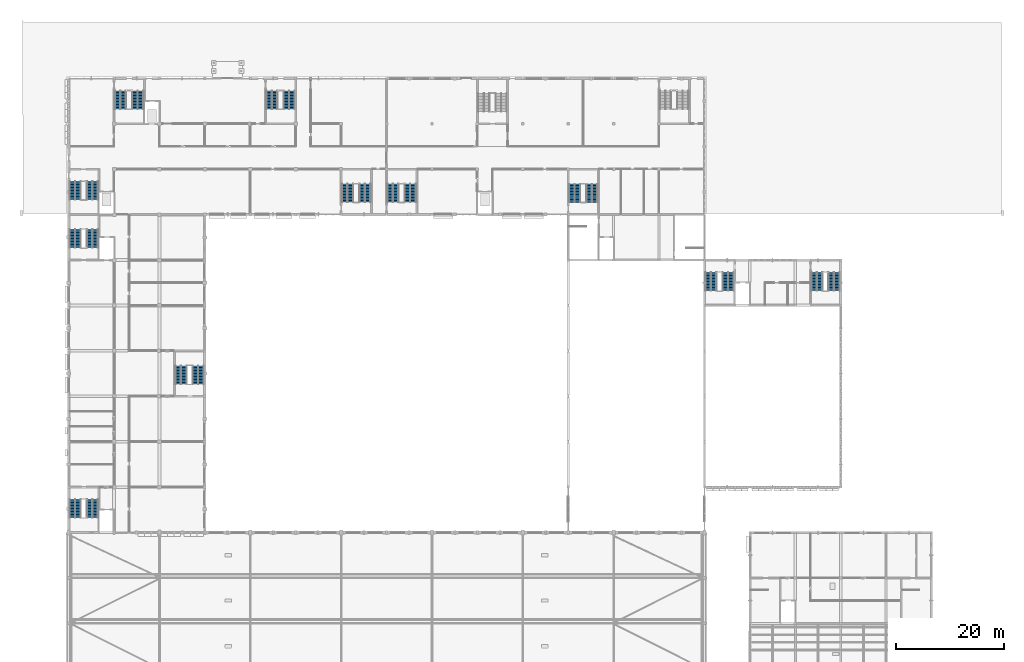
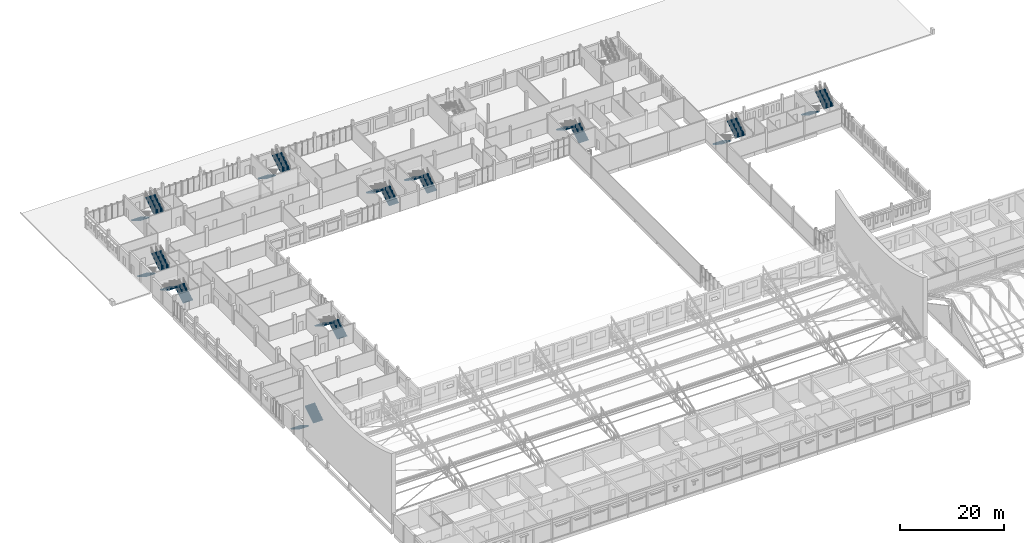
# One storey, part 91 of 101: 22 stair flights, 11 elements without a shape of their own.
"""IFC4 building model written with IfcOpenShell, lengths in metres."""

from ifc_helpers import new_model, si_unit, direction, frame, origin, place, context, subcontext, project, spatial, polyline, outline, extrude, material, type_object, element, aggregate, save


model = new_model("IFC4")

# Units and contexts
model_context = context("Model", 3, precision=1e-05, world=origin(), true_north=direction((0.0, 1.0)))
body_context = subcontext(model_context, "Body", "Model", "MODEL_VIEW")
ifc_project = project(units=[si_unit("LENGTHUNIT", "METRE"), si_unit("AREAUNIT", "SQUARE_METRE"), si_unit("VOLUMEUNIT", "CUBIC_METRE"), si_unit("PLANEANGLEUNIT", "RADIAN"), si_unit("MASSUNIT", "GRAM", prefix="KILO")], contexts=[model_context])

# Site, building, storey
site_placement = place(None, origin())
site = spatial("IfcSite", under=ifc_project, at=site_placement, CompositionType="ELEMENT")
building_placement = place(site_placement, origin())
building = spatial("IfcBuilding", under=site, at=building_placement, Name="Fescue Hill Polytechnic", CompositionType="ELEMENT")
storey_placement = place(building_placement, frame((0.0, 0.0, 9.0)))
storey = spatial("IfcBuildingStorey", under=building, at=storey_placement, Name="L02", CompositionType="ELEMENT", Elevation=9.0)

# Stair, stair flights
ifc_material = material(Name="Concrete 35 MPa", Category="concrete")
stair_type = type_object("IfcStairType", Name="Half-turn stair 2150 flights", PredefinedType="HALF_TURN_STAIR", material=ifc_material)
stair_1_placement = place(storey_placement, origin())
stair_1 = element("IfcStair", 1, at=stair_1_placement, inside=storey, type_object=stair_type, Name="L02 ST-V2-1 stair", PredefinedType="HALF_TURN_STAIR")
stair_flight_type = type_object("IfcStairFlightType", Name="Stair flight 2150 wide", PredefinedType="STRAIGHT", material=ifc_material)
stair_flight_1_placement = place(storey_placement, frame((118.800048828125, 98.5, 0.0), z_axis=(0.0, 0.0, 1.0), x_axis=(0.0, -1.0, 0.0)))
stair_flight_1 = element("IfcStairFlight", 2, at=stair_flight_1_placement, type_object=stair_flight_type, Name="S13 flight 1", NumberOfRisers=13, NumberOfTreads=12, PredefinedType="STRAIGHT", RiserHeight=0.173076923, TreadLength=0.28, context=body_context, shape_type="SweptSolid", body=[
    extrude(outline(polyline([(0.0, 0.0), (0.0, 0.173095703125), (0.280029296875, 0.173095703125), (0.280029296875, 0.34619140625), (0.56005859375, 0.34619140625), (0.56005859375, 0.519287109375), (0.840087890625, 0.519287109375), (0.840087890625, 0.6923828125), (1.1201171875, 0.6923828125), (1.1201171875, 0.865478515625), (1.39990234375, 0.865478515625), (1.39990234375, 1.03857421875), (1.679931640625, 1.03857421875), (1.679931640625, 1.21142578125), (1.9599609375, 1.21142578125), (1.9599609375, 1.384521484375), (2.239990234375, 1.384521484375), (2.239990234375, 1.5576171875), (2.52001953125, 1.5576171875), (2.52001953125, 1.730712890625), (2.800048828125, 1.730712890625), (2.800048828125, 1.90380859375), (3.080078125, 1.90380859375), (3.080078125, 2.076904296875), (3.360107421875, 2.076904296875), (3.360107421875, 2.25), (3.360107421875, 1.900634765625), (0.28515625, 0.0), (0.0, 0.0)])), frame((0.0, 1.074951171875, 0.0), z_axis=(0.0, -1.0, 0.0), x_axis=(1.0, 0.0, 0.0)), (0.0, 0.0, 1.0), 2.14990234375),
])
stair_flight_2_placement = place(storey_placement, frame((122.0, 95.139892578125, 2.25), z_axis=(0.0, 0.0, 1.0), x_axis=(0.0, 1.0, 0.0)))
stair_flight_2 = element("IfcStairFlight", 3, at=stair_flight_2_placement, type_object=stair_flight_type, Name="S13 flight 2", NumberOfRisers=13, NumberOfTreads=12, PredefinedType="STRAIGHT", RiserHeight=0.173076923, TreadLength=0.28, context=body_context, shape_type="SweptSolid", body=[
    extrude(outline(polyline([(0.0, 0.0), (0.0, 0.173095703125), (0.280029296875, 0.173095703125), (0.280029296875, 0.34619140625), (0.56005859375, 0.34619140625), (0.56005859375, 0.519287109375), (0.840087890625, 0.519287109375), (0.840087890625, 0.6923828125), (1.1201171875, 0.6923828125), (1.1201171875, 0.865478515625), (1.39990234375, 0.865478515625), (1.39990234375, 1.03857421875), (1.679931640625, 1.03857421875), (1.679931640625, 1.21142578125), (1.9599609375, 1.21142578125), (1.9599609375, 1.384521484375), (2.239990234375, 1.384521484375), (2.239990234375, 1.5576171875), (2.52001953125, 1.5576171875), (2.52001953125, 1.730712890625), (2.800048828125, 1.730712890625), (2.800048828125, 1.90380859375), (3.080078125, 1.90380859375), (3.080078125, 2.076904296875), (3.360107421875, 2.076904296875), (3.360107421875, 2.25), (3.360107421875, 1.900634765625), (0.28515625, 0.0), (0.0, 0.0)])), frame((0.0, 1.074951171875, 0.0), z_axis=(0.0, -1.0, 0.0), x_axis=(1.0, 0.0, 0.0)), (0.0, 0.0, 1.0), 2.14990234375),
])
aggregate(stair_1, [stair_flight_1, stair_flight_2])

stair_2_placement = place(storey_placement, origin())
stair_2 = element("IfcStair", 4, at=stair_2_placement, inside=storey, type_object=stair_type, Name="L02 ST-V2-2 stair", PredefinedType="HALF_TURN_STAIR")
stair_flight_3_placement = place(storey_placement, frame((138.39990234375, 98.5, 0.0), z_axis=(0.0, 0.0, 1.0), x_axis=(0.0, -1.0, 0.0)))
stair_flight_3 = element("IfcStairFlight", 5, at=stair_flight_3_placement, type_object=stair_flight_type, Name="S14 flight 1", NumberOfRisers=13, NumberOfTreads=12, PredefinedType="STRAIGHT", RiserHeight=0.173076923, TreadLength=0.28, context=body_context, shape_type="SweptSolid", body=[
    extrude(outline(polyline([(0.0, 0.0), (0.0, 0.173095703125), (0.280029296875, 0.173095703125), (0.280029296875, 0.34619140625), (0.56005859375, 0.34619140625), (0.56005859375, 0.519287109375), (0.840087890625, 0.519287109375), (0.840087890625, 0.6923828125), (1.1201171875, 0.6923828125), (1.1201171875, 0.865478515625), (1.39990234375, 0.865478515625), (1.39990234375, 1.03857421875), (1.679931640625, 1.03857421875), (1.679931640625, 1.21142578125), (1.9599609375, 1.21142578125), (1.9599609375, 1.384521484375), (2.239990234375, 1.384521484375), (2.239990234375, 1.5576171875), (2.52001953125, 1.5576171875), (2.52001953125, 1.730712890625), (2.800048828125, 1.730712890625), (2.800048828125, 1.90380859375), (3.080078125, 1.90380859375), (3.080078125, 2.076904296875), (3.360107421875, 2.076904296875), (3.360107421875, 2.25), (3.360107421875, 1.900634765625), (0.28515625, 0.0), (0.0, 0.0)])), frame((0.0, 1.074951171875, 0.0), z_axis=(0.0, -1.0, 0.0), x_axis=(1.0, 0.0, 0.0)), (0.0, 0.0, 1.0), 2.14990234375),
])
stair_flight_4_placement = place(storey_placement, frame((141.574951171875, 95.139892578125, 2.25), z_axis=(0.0, 0.0, 1.0), x_axis=(0.0, 1.0, 0.0)))
stair_flight_4 = element("IfcStairFlight", 6, at=stair_flight_4_placement, type_object=stair_flight_type, Name="S14 flight 2", NumberOfRisers=13, NumberOfTreads=12, PredefinedType="STRAIGHT", RiserHeight=0.173076923, TreadLength=0.28, context=body_context, shape_type="SweptSolid", body=[
    extrude(outline(polyline([(0.0, 0.0), (0.0, 0.173095703125), (0.280029296875, 0.173095703125), (0.280029296875, 0.34619140625), (0.56005859375, 0.34619140625), (0.56005859375, 0.519287109375), (0.840087890625, 0.519287109375), (0.840087890625, 0.6923828125), (1.1201171875, 0.6923828125), (1.1201171875, 0.865478515625), (1.39990234375, 0.865478515625), (1.39990234375, 1.03857421875), (1.679931640625, 1.03857421875), (1.679931640625, 1.21142578125), (1.9599609375, 1.21142578125), (1.9599609375, 1.384521484375), (2.239990234375, 1.384521484375), (2.239990234375, 1.5576171875), (2.52001953125, 1.5576171875), (2.52001953125, 1.730712890625), (2.800048828125, 1.730712890625), (2.800048828125, 1.90380859375), (3.080078125, 1.90380859375), (3.080078125, 2.076904296875), (3.360107421875, 2.076904296875), (3.360107421875, 2.25), (3.360107421875, 1.900634765625), (0.28515625, 0.0), (0.0, 0.0)])), frame((0.0, 1.074951171875, 0.0), z_axis=(0.0, -1.0, 0.0), x_axis=(1.0, 0.0, 0.0)), (0.0, 0.0, 1.0), 2.14990234375),
])
aggregate(stair_2, [stair_flight_3, stair_flight_4])

stair_3_placement = place(storey_placement, origin())
stair_3 = element("IfcStair", 7, at=stair_3_placement, inside=storey, type_object=stair_type, Name="L02 ST-V4-1 stair", PredefinedType="HALF_TURN_STAIR")
stair_flight_5_placement = place(storey_placement, frame((1.22509765625, 56.52490234375, 0.0), z_axis=(0.0, 0.0, 1.0), x_axis=(0.0, -1.0, 0.0)))
stair_flight_5 = element("IfcStairFlight", 8, at=stair_flight_5_placement, type_object=stair_flight_type, Name="S15 flight 1", NumberOfRisers=13, NumberOfTreads=12, PredefinedType="STRAIGHT", RiserHeight=0.173076923, TreadLength=0.28, context=body_context, shape_type="SweptSolid", body=[
    extrude(outline(polyline([(0.0, 0.0), (0.0, 0.173095703125), (0.280029296875, 0.173095703125), (0.280029296875, 0.34619140625), (0.56005859375, 0.34619140625), (0.56005859375, 0.519287109375), (0.840087890625, 0.519287109375), (0.840087890625, 0.6923828125), (1.1201171875, 0.6923828125), (1.1201171875, 0.865478515625), (1.39990234375, 0.865478515625), (1.39990234375, 1.03857421875), (1.679931640625, 1.03857421875), (1.679931640625, 1.21142578125), (1.9599609375, 1.21142578125), (1.9599609375, 1.384521484375), (2.239990234375, 1.384521484375), (2.239990234375, 1.5576171875), (2.52001953125, 1.5576171875), (2.52001953125, 1.730712890625), (2.800048828125, 1.730712890625), (2.800048828125, 1.90380859375), (3.080078125, 1.90380859375), (3.080078125, 2.076904296875), (3.360107421875, 2.076904296875), (3.360107421875, 2.25), (3.360107421875, 1.900634765625), (0.28515625, 0.0), (0.0, 0.0)])), frame((0.0, 1.074951171875, 0.0), z_axis=(0.0, -1.0, 0.0), x_axis=(1.0, 0.0, 0.0)), (0.0, 0.0, 1.0), 2.14990234375),
])
stair_flight_6_placement = place(storey_placement, frame((4.39990234375, 53.1650390625, 2.25), z_axis=(0.0, 0.0, 1.0), x_axis=(0.0, 1.0, 0.0)))
stair_flight_6 = element("IfcStairFlight", 9, at=stair_flight_6_placement, type_object=stair_flight_type, Name="S15 flight 2", NumberOfRisers=13, NumberOfTreads=12, PredefinedType="STRAIGHT", RiserHeight=0.173076923, TreadLength=0.28, context=body_context, shape_type="SweptSolid", body=[
    extrude(outline(polyline([(0.0, 0.0), (0.0, 0.173095703125), (0.280029296875, 0.173095703125), (0.280029296875, 0.34619140625), (0.56005859375, 0.34619140625), (0.56005859375, 0.519287109375), (0.840087890625, 0.519287109375), (0.840087890625, 0.6923828125), (1.1201171875, 0.6923828125), (1.1201171875, 0.865478515625), (1.39990234375, 0.865478515625), (1.39990234375, 1.03857421875), (1.679931640625, 1.03857421875), (1.679931640625, 1.21142578125), (1.9599609375, 1.21142578125), (1.9599609375, 1.384521484375), (2.239990234375, 1.384521484375), (2.239990234375, 1.5576171875), (2.52001953125, 1.5576171875), (2.52001953125, 1.730712890625), (2.800048828125, 1.730712890625), (2.800048828125, 1.90380859375), (3.080078125, 1.90380859375), (3.080078125, 2.076904296875), (3.360107421875, 2.076904296875), (3.360107421875, 2.25), (3.360107421875, 1.900634765625), (0.28515625, 0.0), (0.0, 0.0)])), frame((0.0, 1.074951171875, 0.0), z_axis=(0.0, -1.0, 0.0), x_axis=(1.0, 0.0, 0.0)), (0.0, 0.0, 1.0), 2.14990234375),
])
aggregate(stair_3, [stair_flight_5, stair_flight_6])

stair_4_placement = place(storey_placement, origin())
stair_4 = element("IfcStair", 10, at=stair_4_placement, inside=storey, type_object=stair_type, Name="L02 ST-V4-2 stair", PredefinedType="HALF_TURN_STAIR")
stair_flight_7_placement = place(storey_placement, frame((4.39990234375, 103.074951171875, 0.0), z_axis=(0.0, 0.0, 1.0), x_axis=(0.0, 1.0, 0.0)))
stair_flight_7 = element("IfcStairFlight", 11, at=stair_flight_7_placement, type_object=stair_flight_type, Name="S16 flight 1", NumberOfRisers=13, NumberOfTreads=12, PredefinedType="STRAIGHT", RiserHeight=0.173076923, TreadLength=0.28, context=body_context, shape_type="SweptSolid", body=[
    extrude(outline(polyline([(0.0, 0.0), (0.0, 0.173095703125), (0.280029296875, 0.173095703125), (0.280029296875, 0.34619140625), (0.56005859375, 0.34619140625), (0.56005859375, 0.519287109375), (0.840087890625, 0.519287109375), (0.840087890625, 0.6923828125), (1.1201171875, 0.6923828125), (1.1201171875, 0.865478515625), (1.39990234375, 0.865478515625), (1.39990234375, 1.03857421875), (1.679931640625, 1.03857421875), (1.679931640625, 1.21142578125), (1.9599609375, 1.21142578125), (1.9599609375, 1.384521484375), (2.239990234375, 1.384521484375), (2.239990234375, 1.5576171875), (2.52001953125, 1.5576171875), (2.52001953125, 1.730712890625), (2.800048828125, 1.730712890625), (2.800048828125, 1.90380859375), (3.080078125, 1.90380859375), (3.080078125, 2.076904296875), (3.360107421875, 2.076904296875), (3.360107421875, 2.25), (3.360107421875, 1.900634765625), (0.28515625, 0.0), (0.0, 0.0)])), frame((0.0, 1.074951171875, 0.0), z_axis=(0.0, -1.0, 0.0), x_axis=(1.0, 0.0, 0.0)), (0.0, 0.0, 1.0), 2.14990234375),
])
stair_flight_8_placement = place(storey_placement, frame((1.22509765625, 106.43505859375, 2.25), z_axis=(0.0, 0.0, 1.0), x_axis=(0.0, -1.0, 0.0)))
stair_flight_8 = element("IfcStairFlight", 12, at=stair_flight_8_placement, type_object=stair_flight_type, Name="S16 flight 2", NumberOfRisers=13, NumberOfTreads=12, PredefinedType="STRAIGHT", RiserHeight=0.173076923, TreadLength=0.28, context=body_context, shape_type="SweptSolid", body=[
    extrude(outline(polyline([(0.0, 0.0), (0.0, 0.173095703125), (0.280029296875, 0.173095703125), (0.280029296875, 0.34619140625), (0.56005859375, 0.34619140625), (0.56005859375, 0.519287109375), (0.840087890625, 0.519287109375), (0.840087890625, 0.6923828125), (1.1201171875, 0.6923828125), (1.1201171875, 0.865478515625), (1.39990234375, 0.865478515625), (1.39990234375, 1.03857421875), (1.679931640625, 1.03857421875), (1.679931640625, 1.21142578125), (1.9599609375, 1.21142578125), (1.9599609375, 1.384521484375), (2.239990234375, 1.384521484375), (2.239990234375, 1.5576171875), (2.52001953125, 1.5576171875), (2.52001953125, 1.730712890625), (2.800048828125, 1.730712890625), (2.800048828125, 1.90380859375), (3.080078125, 1.90380859375), (3.080078125, 2.076904296875), (3.360107421875, 2.076904296875), (3.360107421875, 2.25), (3.360107421875, 1.900634765625), (0.28515625, 0.0), (0.0, 0.0)])), frame((0.0, 1.074951171875, 0.0), z_axis=(0.0, -1.0, 0.0), x_axis=(1.0, 0.0, 0.0)), (0.0, 0.0, 1.0), 2.14990234375),
])
aggregate(stair_4, [stair_flight_7, stair_flight_8])

stair_5_placement = place(storey_placement, origin())
stair_5 = element("IfcStair", 13, at=stair_5_placement, inside=storey, type_object=stair_type, Name="L02 ST-V4-3 stair", PredefinedType="HALF_TURN_STAIR")
stair_flight_9_placement = place(storey_placement, frame((23.97509765625, 77.875, 0.0), z_axis=(0.0, 0.0, 1.0), x_axis=(0.0, 1.0, 0.0)))
stair_flight_9 = element("IfcStairFlight", 14, at=stair_flight_9_placement, type_object=stair_flight_type, Name="S17 flight 1", NumberOfRisers=13, NumberOfTreads=12, PredefinedType="STRAIGHT", RiserHeight=0.173076923, TreadLength=0.28, context=body_context, shape_type="SweptSolid", body=[
    extrude(outline(polyline([(0.0, 0.0), (0.0, 0.173095703125), (0.280029296875, 0.173095703125), (0.280029296875, 0.34619140625), (0.56005859375, 0.34619140625), (0.56005859375, 0.519287109375), (0.840087890625, 0.519287109375), (0.840087890625, 0.6923828125), (1.1201171875, 0.6923828125), (1.1201171875, 0.865478515625), (1.39990234375, 0.865478515625), (1.39990234375, 1.03857421875), (1.679931640625, 1.03857421875), (1.679931640625, 1.21142578125), (1.9599609375, 1.21142578125), (1.9599609375, 1.384521484375), (2.239990234375, 1.384521484375), (2.239990234375, 1.5576171875), (2.52001953125, 1.5576171875), (2.52001953125, 1.730712890625), (2.800048828125, 1.730712890625), (2.800048828125, 1.90380859375), (3.080078125, 1.90380859375), (3.080078125, 2.076904296875), (3.360107421875, 2.076904296875), (3.360107421875, 2.25), (3.360107421875, 1.900634765625), (0.28515625, 0.0), (0.0, 0.0)])), frame((0.0, 1.074951171875, 0.0), z_axis=(0.0, -1.0, 0.0), x_axis=(1.0, 0.0, 0.0)), (0.0, 0.0, 1.0), 2.14990234375),
])
stair_flight_10_placement = place(storey_placement, frame((20.800048828125, 81.235107421875, 2.25), z_axis=(0.0, 0.0, 1.0), x_axis=(0.0, -1.0, 0.0)))
stair_flight_10 = element("IfcStairFlight", 15, at=stair_flight_10_placement, type_object=stair_flight_type, Name="S17 flight 2", NumberOfRisers=13, NumberOfTreads=12, PredefinedType="STRAIGHT", RiserHeight=0.173076923, TreadLength=0.28, context=body_context, shape_type="SweptSolid", body=[
    extrude(outline(polyline([(0.0, 0.0), (0.0, 0.173095703125), (0.280029296875, 0.173095703125), (0.280029296875, 0.34619140625), (0.56005859375, 0.34619140625), (0.56005859375, 0.519287109375), (0.840087890625, 0.519287109375), (0.840087890625, 0.6923828125), (1.1201171875, 0.6923828125), (1.1201171875, 0.865478515625), (1.39990234375, 0.865478515625), (1.39990234375, 1.03857421875), (1.679931640625, 1.03857421875), (1.679931640625, 1.21142578125), (1.9599609375, 1.21142578125), (1.9599609375, 1.384521484375), (2.239990234375, 1.384521484375), (2.239990234375, 1.5576171875), (2.52001953125, 1.5576171875), (2.52001953125, 1.730712890625), (2.800048828125, 1.730712890625), (2.800048828125, 1.90380859375), (3.080078125, 1.90380859375), (3.080078125, 2.076904296875), (3.360107421875, 2.076904296875), (3.360107421875, 2.25), (3.360107421875, 1.900634765625), (0.28515625, 0.0), (0.0, 0.0)])), frame((0.0, 1.074951171875, 0.0), z_axis=(0.0, -1.0, 0.0), x_axis=(1.0, 0.0, 0.0)), (0.0, 0.0, 1.0), 2.14990234375),
])
aggregate(stair_5, [stair_flight_9, stair_flight_10])

stair_6_placement = place(storey_placement, origin())
stair_6 = element("IfcStair", 16, at=stair_6_placement, inside=storey, type_object=stair_type, Name="L02 ST-V5-1 stair", PredefinedType="HALF_TURN_STAIR")
stair_flight_11_placement = place(storey_placement, frame((1.22509765625, 115.324951171875, 0.0), z_axis=(0.0, 0.0, 1.0), x_axis=(0.0, -1.0, 0.0)))
stair_flight_11 = element("IfcStairFlight", 17, at=stair_flight_11_placement, type_object=stair_flight_type, Name="S18 flight 1", NumberOfRisers=13, NumberOfTreads=12, PredefinedType="STRAIGHT", RiserHeight=0.173076923, TreadLength=0.28, context=body_context, shape_type="SweptSolid", body=[
    extrude(outline(polyline([(0.0, 0.0), (0.0, 0.173095703125), (0.280029296875, 0.173095703125), (0.280029296875, 0.34619140625), (0.56005859375, 0.34619140625), (0.56005859375, 0.519287109375), (0.840087890625, 0.519287109375), (0.840087890625, 0.6923828125), (1.1201171875, 0.6923828125), (1.1201171875, 0.865478515625), (1.39990234375, 0.865478515625), (1.39990234375, 1.03857421875), (1.679931640625, 1.03857421875), (1.679931640625, 1.21142578125), (1.9599609375, 1.21142578125), (1.9599609375, 1.384521484375), (2.239990234375, 1.384521484375), (2.239990234375, 1.5576171875), (2.52001953125, 1.5576171875), (2.52001953125, 1.730712890625), (2.800048828125, 1.730712890625), (2.800048828125, 1.90380859375), (3.080078125, 1.90380859375), (3.080078125, 2.076904296875), (3.360107421875, 2.076904296875), (3.360107421875, 2.25), (3.360107421875, 1.900634765625), (0.28515625, 0.0), (0.0, 0.0)])), frame((0.0, 1.074951171875, 0.0), z_axis=(0.0, -1.0, 0.0), x_axis=(1.0, 0.0, 0.0)), (0.0, 0.0, 1.0), 2.14990234375),
])
stair_flight_12_placement = place(storey_placement, frame((4.39990234375, 111.965087890625, 2.25), z_axis=(0.0, 0.0, 1.0), x_axis=(0.0, 1.0, 0.0)))
stair_flight_12 = element("IfcStairFlight", 18, at=stair_flight_12_placement, type_object=stair_flight_type, Name="S18 flight 2", NumberOfRisers=13, NumberOfTreads=12, PredefinedType="STRAIGHT", RiserHeight=0.173076923, TreadLength=0.28, context=body_context, shape_type="SweptSolid", body=[
    extrude(outline(polyline([(0.0, 0.0), (0.0, 0.173095703125), (0.280029296875, 0.173095703125), (0.280029296875, 0.34619140625), (0.56005859375, 0.34619140625), (0.56005859375, 0.519287109375), (0.840087890625, 0.519287109375), (0.840087890625, 0.6923828125), (1.1201171875, 0.6923828125), (1.1201171875, 0.865478515625), (1.39990234375, 0.865478515625), (1.39990234375, 1.03857421875), (1.679931640625, 1.03857421875), (1.679931640625, 1.21142578125), (1.9599609375, 1.21142578125), (1.9599609375, 1.384521484375), (2.239990234375, 1.384521484375), (2.239990234375, 1.5576171875), (2.52001953125, 1.5576171875), (2.52001953125, 1.730712890625), (2.800048828125, 1.730712890625), (2.800048828125, 1.90380859375), (3.080078125, 1.90380859375), (3.080078125, 2.076904296875), (3.360107421875, 2.076904296875), (3.360107421875, 2.25), (3.360107421875, 1.900634765625), (0.28515625, 0.0), (0.0, 0.0)])), frame((0.0, 1.074951171875, 0.0), z_axis=(0.0, -1.0, 0.0), x_axis=(1.0, 0.0, 0.0)), (0.0, 0.0, 1.0), 2.14990234375),
])
aggregate(stair_6, [stair_flight_11, stair_flight_12])

stair_7_placement = place(storey_placement, origin())
stair_7 = element("IfcStair", 19, at=stair_7_placement, inside=storey, type_object=stair_type, Name="L02 ST-V5-2 stair", PredefinedType="HALF_TURN_STAIR")
stair_flight_13_placement = place(storey_placement, frame((37.60009765625, 132.10009765625, 0.0), z_axis=(0.0, 0.0, 1.0), x_axis=(0.0, -1.0, 0.0)))
stair_flight_13 = element("IfcStairFlight", 20, at=stair_flight_13_placement, type_object=stair_flight_type, Name="S19 flight 1", NumberOfRisers=13, NumberOfTreads=12, PredefinedType="STRAIGHT", RiserHeight=0.173076923, TreadLength=0.28, context=body_context, shape_type="SweptSolid", body=[
    extrude(outline(polyline([(0.0, 0.0), (0.0, 0.173095703125), (0.280029296875, 0.173095703125), (0.280029296875, 0.34619140625), (0.56005859375, 0.34619140625), (0.56005859375, 0.519287109375), (0.840087890625, 0.519287109375), (0.840087890625, 0.6923828125), (1.1201171875, 0.6923828125), (1.1201171875, 0.865478515625), (1.39990234375, 0.865478515625), (1.39990234375, 1.03857421875), (1.679931640625, 1.03857421875), (1.679931640625, 1.21142578125), (1.9599609375, 1.21142578125), (1.9599609375, 1.384521484375), (2.239990234375, 1.384521484375), (2.239990234375, 1.5576171875), (2.52001953125, 1.5576171875), (2.52001953125, 1.730712890625), (2.800048828125, 1.730712890625), (2.800048828125, 1.90380859375), (3.080078125, 1.90380859375), (3.080078125, 2.076904296875), (3.360107421875, 2.076904296875), (3.360107421875, 2.25), (3.360107421875, 1.900634765625), (0.28515625, 0.0), (0.0, 0.0)])), frame((0.0, 1.074951171875, 0.0), z_axis=(0.0, -1.0, 0.0), x_axis=(1.0, 0.0, 0.0)), (0.0, 0.0, 1.0), 2.14990234375),
])
stair_flight_14_placement = place(storey_placement, frame((40.800048828125, 128.739990234375, 2.25), z_axis=(0.0, 0.0, 1.0), x_axis=(0.0, 1.0, 0.0)))
stair_flight_14 = element("IfcStairFlight", 21, at=stair_flight_14_placement, type_object=stair_flight_type, Name="S19 flight 2", NumberOfRisers=13, NumberOfTreads=12, PredefinedType="STRAIGHT", RiserHeight=0.173076923, TreadLength=0.28, context=body_context, shape_type="SweptSolid", body=[
    extrude(outline(polyline([(0.0, 0.0), (0.0, 0.173095703125), (0.280029296875, 0.173095703125), (0.280029296875, 0.34619140625), (0.56005859375, 0.34619140625), (0.56005859375, 0.519287109375), (0.840087890625, 0.519287109375), (0.840087890625, 0.6923828125), (1.1201171875, 0.6923828125), (1.1201171875, 0.865478515625), (1.39990234375, 0.865478515625), (1.39990234375, 1.03857421875), (1.679931640625, 1.03857421875), (1.679931640625, 1.21142578125), (1.9599609375, 1.21142578125), (1.9599609375, 1.384521484375), (2.239990234375, 1.384521484375), (2.239990234375, 1.5576171875), (2.52001953125, 1.5576171875), (2.52001953125, 1.730712890625), (2.800048828125, 1.730712890625), (2.800048828125, 1.90380859375), (3.080078125, 1.90380859375), (3.080078125, 2.076904296875), (3.360107421875, 2.076904296875), (3.360107421875, 2.25), (3.360107421875, 1.900634765625), (0.28515625, 0.0), (0.0, 0.0)])), frame((0.0, 1.074951171875, 0.0), z_axis=(0.0, -1.0, 0.0), x_axis=(1.0, 0.0, 0.0)), (0.0, 0.0, 1.0), 2.14990234375),
])
aggregate(stair_7, [stair_flight_13, stair_flight_14])

stair_8_placement = place(storey_placement, origin())
stair_8 = element("IfcStair", 22, at=stair_8_placement, inside=storey, type_object=stair_type, Name="L02 ST-V5-3 stair", PredefinedType="HALF_TURN_STAIR")
stair_flight_15_placement = place(storey_placement, frame((9.60009765625, 132.10009765625, 0.0), z_axis=(0.0, 0.0, 1.0), x_axis=(0.0, -1.0, 0.0)))
stair_flight_15 = element("IfcStairFlight", 23, at=stair_flight_15_placement, type_object=stair_flight_type, Name="S20 flight 1", NumberOfRisers=13, NumberOfTreads=12, PredefinedType="STRAIGHT", RiserHeight=0.173076923, TreadLength=0.28, context=body_context, shape_type="SweptSolid", body=[
    extrude(outline(polyline([(0.0, 0.0), (0.0, 0.173095703125), (0.280029296875, 0.173095703125), (0.280029296875, 0.34619140625), (0.56005859375, 0.34619140625), (0.56005859375, 0.519287109375), (0.840087890625, 0.519287109375), (0.840087890625, 0.6923828125), (1.1201171875, 0.6923828125), (1.1201171875, 0.865478515625), (1.39990234375, 0.865478515625), (1.39990234375, 1.03857421875), (1.679931640625, 1.03857421875), (1.679931640625, 1.21142578125), (1.9599609375, 1.21142578125), (1.9599609375, 1.384521484375), (2.239990234375, 1.384521484375), (2.239990234375, 1.5576171875), (2.52001953125, 1.5576171875), (2.52001953125, 1.730712890625), (2.800048828125, 1.730712890625), (2.800048828125, 1.90380859375), (3.080078125, 1.90380859375), (3.080078125, 2.076904296875), (3.360107421875, 2.076904296875), (3.360107421875, 2.25), (3.360107421875, 1.900634765625), (0.28515625, 0.0), (0.0, 0.0)])), frame((0.0, 1.074951171875, 0.0), z_axis=(0.0, -1.0, 0.0), x_axis=(1.0, 0.0, 0.0)), (0.0, 0.0, 1.0), 2.14990234375),
])
stair_flight_16_placement = place(storey_placement, frame((12.800048828125, 128.739990234375, 2.25), z_axis=(0.0, 0.0, 1.0), x_axis=(0.0, 1.0, 0.0)))
stair_flight_16 = element("IfcStairFlight", 24, at=stair_flight_16_placement, type_object=stair_flight_type, Name="S20 flight 2", NumberOfRisers=13, NumberOfTreads=12, PredefinedType="STRAIGHT", RiserHeight=0.173076923, TreadLength=0.28, context=body_context, shape_type="SweptSolid", body=[
    extrude(outline(polyline([(0.0, 0.0), (0.0, 0.173095703125), (0.280029296875, 0.173095703125), (0.280029296875, 0.34619140625), (0.56005859375, 0.34619140625), (0.56005859375, 0.519287109375), (0.840087890625, 0.519287109375), (0.840087890625, 0.6923828125), (1.1201171875, 0.6923828125), (1.1201171875, 0.865478515625), (1.39990234375, 0.865478515625), (1.39990234375, 1.03857421875), (1.679931640625, 1.03857421875), (1.679931640625, 1.21142578125), (1.9599609375, 1.21142578125), (1.9599609375, 1.384521484375), (2.239990234375, 1.384521484375), (2.239990234375, 1.5576171875), (2.52001953125, 1.5576171875), (2.52001953125, 1.730712890625), (2.800048828125, 1.730712890625), (2.800048828125, 1.90380859375), (3.080078125, 1.90380859375), (3.080078125, 2.076904296875), (3.360107421875, 2.076904296875), (3.360107421875, 2.25), (3.360107421875, 1.900634765625), (0.28515625, 0.0), (0.0, 0.0)])), frame((0.0, 1.074951171875, 0.0), z_axis=(0.0, -1.0, 0.0), x_axis=(1.0, 0.0, 0.0)), (0.0, 0.0, 1.0), 2.14990234375),
])
aggregate(stair_8, [stair_flight_15, stair_flight_16])

stair_9_placement = place(storey_placement, origin())
stair_9 = element("IfcStair", 25, at=stair_9_placement, inside=storey, type_object=stair_type, Name="L02 ST-V5-4 stair", PredefinedType="HALF_TURN_STAIR")
stair_flight_17_placement = place(storey_placement, frame((54.800048828125, 111.5, 0.0), z_axis=(0.0, 0.0, 1.0), x_axis=(0.0, 1.0, 0.0)))
stair_flight_17 = element("IfcStairFlight", 26, at=stair_flight_17_placement, type_object=stair_flight_type, Name="S21 flight 1", NumberOfRisers=13, NumberOfTreads=12, PredefinedType="STRAIGHT", RiserHeight=0.173076923, TreadLength=0.28, context=body_context, shape_type="SweptSolid", body=[
    extrude(outline(polyline([(0.0, 0.0), (0.0, 0.173095703125), (0.280029296875, 0.173095703125), (0.280029296875, 0.34619140625), (0.56005859375, 0.34619140625), (0.56005859375, 0.519287109375), (0.840087890625, 0.519287109375), (0.840087890625, 0.6923828125), (1.1201171875, 0.6923828125), (1.1201171875, 0.865478515625), (1.39990234375, 0.865478515625), (1.39990234375, 1.03857421875), (1.679931640625, 1.03857421875), (1.679931640625, 1.21142578125), (1.9599609375, 1.21142578125), (1.9599609375, 1.384521484375), (2.239990234375, 1.384521484375), (2.239990234375, 1.5576171875), (2.52001953125, 1.5576171875), (2.52001953125, 1.730712890625), (2.800048828125, 1.730712890625), (2.800048828125, 1.90380859375), (3.080078125, 1.90380859375), (3.080078125, 2.076904296875), (3.360107421875, 2.076904296875), (3.360107421875, 2.25), (3.360107421875, 1.900634765625), (0.28515625, 0.0), (0.0, 0.0)])), frame((0.0, 1.074951171875, 0.0), z_axis=(0.0, -1.0, 0.0), x_axis=(1.0, 0.0, 0.0)), (0.0, 0.0, 1.0), 2.14990234375),
])
stair_flight_18_placement = place(storey_placement, frame((51.60009765625, 114.860107421875, 2.25), z_axis=(0.0, 0.0, 1.0), x_axis=(0.0, -1.0, 0.0)))
stair_flight_18 = element("IfcStairFlight", 27, at=stair_flight_18_placement, type_object=stair_flight_type, Name="S21 flight 2", NumberOfRisers=13, NumberOfTreads=12, PredefinedType="STRAIGHT", RiserHeight=0.173076923, TreadLength=0.28, context=body_context, shape_type="SweptSolid", body=[
    extrude(outline(polyline([(0.0, 0.0), (0.0, 0.173095703125), (0.280029296875, 0.173095703125), (0.280029296875, 0.34619140625), (0.56005859375, 0.34619140625), (0.56005859375, 0.519287109375), (0.840087890625, 0.519287109375), (0.840087890625, 0.6923828125), (1.1201171875, 0.6923828125), (1.1201171875, 0.865478515625), (1.39990234375, 0.865478515625), (1.39990234375, 1.03857421875), (1.679931640625, 1.03857421875), (1.679931640625, 1.21142578125), (1.9599609375, 1.21142578125), (1.9599609375, 1.384521484375), (2.239990234375, 1.384521484375), (2.239990234375, 1.5576171875), (2.52001953125, 1.5576171875), (2.52001953125, 1.730712890625), (2.800048828125, 1.730712890625), (2.800048828125, 1.90380859375), (3.080078125, 1.90380859375), (3.080078125, 2.076904296875), (3.360107421875, 2.076904296875), (3.360107421875, 2.25), (3.360107421875, 1.900634765625), (0.28515625, 0.0), (0.0, 0.0)])), frame((0.0, 1.074951171875, 0.0), z_axis=(0.0, -1.0, 0.0), x_axis=(1.0, 0.0, 0.0)), (0.0, 0.0, 1.0), 2.14990234375),
])
aggregate(stair_9, [stair_flight_17, stair_flight_18])

stair_10_placement = place(storey_placement, origin())
stair_10 = element("IfcStair", 28, at=stair_10_placement, inside=storey, type_object=stair_type, Name="L02 ST-V4b-1 stair", PredefinedType="HALF_TURN_STAIR")
stair_flight_19_placement = place(storey_placement, frame((63.199951171875, 111.5, 0.0), z_axis=(0.0, 0.0, 1.0), x_axis=(0.0, 1.0, 0.0)))
stair_flight_19 = element("IfcStairFlight", 29, at=stair_flight_19_placement, type_object=stair_flight_type, Name="S22 flight 1", NumberOfRisers=13, NumberOfTreads=12, PredefinedType="STRAIGHT", RiserHeight=0.173076923, TreadLength=0.28, context=body_context, shape_type="SweptSolid", body=[
    extrude(outline(polyline([(0.0, 0.0), (0.0, 0.173095703125), (0.280029296875, 0.173095703125), (0.280029296875, 0.34619140625), (0.56005859375, 0.34619140625), (0.56005859375, 0.519287109375), (0.840087890625, 0.519287109375), (0.840087890625, 0.6923828125), (1.1201171875, 0.6923828125), (1.1201171875, 0.865478515625), (1.39990234375, 0.865478515625), (1.39990234375, 1.03857421875), (1.679931640625, 1.03857421875), (1.679931640625, 1.21142578125), (1.9599609375, 1.21142578125), (1.9599609375, 1.384521484375), (2.239990234375, 1.384521484375), (2.239990234375, 1.5576171875), (2.52001953125, 1.5576171875), (2.52001953125, 1.730712890625), (2.800048828125, 1.730712890625), (2.800048828125, 1.90380859375), (3.080078125, 1.90380859375), (3.080078125, 2.076904296875), (3.360107421875, 2.076904296875), (3.360107421875, 2.25), (3.360107421875, 1.900634765625), (0.28515625, 0.0), (0.0, 0.0)])), frame((0.0, 1.074951171875, 0.0), z_axis=(0.0, -1.0, 0.0), x_axis=(1.0, 0.0, 0.0)), (0.0, 0.0, 1.0), 2.14990234375),
])
stair_flight_20_placement = place(storey_placement, frame((60.0, 114.860107421875, 2.25), z_axis=(0.0, 0.0, 1.0), x_axis=(0.0, -1.0, 0.0)))
stair_flight_20 = element("IfcStairFlight", 30, at=stair_flight_20_placement, type_object=stair_flight_type, Name="S22 flight 2", NumberOfRisers=13, NumberOfTreads=12, PredefinedType="STRAIGHT", RiserHeight=0.173076923, TreadLength=0.28, context=body_context, shape_type="SweptSolid", body=[
    extrude(outline(polyline([(0.0, 0.0), (0.0, 0.173095703125), (0.280029296875, 0.173095703125), (0.280029296875, 0.34619140625), (0.56005859375, 0.34619140625), (0.56005859375, 0.519287109375), (0.840087890625, 0.519287109375), (0.840087890625, 0.6923828125), (1.1201171875, 0.6923828125), (1.1201171875, 0.865478515625), (1.39990234375, 0.865478515625), (1.39990234375, 1.03857421875), (1.679931640625, 1.03857421875), (1.679931640625, 1.21142578125), (1.9599609375, 1.21142578125), (1.9599609375, 1.384521484375), (2.239990234375, 1.384521484375), (2.239990234375, 1.5576171875), (2.52001953125, 1.5576171875), (2.52001953125, 1.730712890625), (2.800048828125, 1.730712890625), (2.800048828125, 1.90380859375), (3.080078125, 1.90380859375), (3.080078125, 2.076904296875), (3.360107421875, 2.076904296875), (3.360107421875, 2.25), (3.360107421875, 1.900634765625), (0.28515625, 0.0), (0.0, 0.0)])), frame((0.0, 1.074951171875, 0.0), z_axis=(0.0, -1.0, 0.0), x_axis=(1.0, 0.0, 0.0)), (0.0, 0.0, 1.0), 2.14990234375),
])
aggregate(stair_10, [stair_flight_19, stair_flight_20])

stair_11_placement = place(storey_placement, origin())
stair_11 = element("IfcStair", 31, at=stair_11_placement, inside=storey, type_object=stair_type, Name="L02 ST-V4b-3 stair", PredefinedType="HALF_TURN_STAIR")
stair_flight_21_placement = place(storey_placement, frame((96.800048828125, 111.47509765625, 0.0), z_axis=(0.0, 0.0, 1.0), x_axis=(0.0, 1.0, 0.0)))
stair_flight_21 = element("IfcStairFlight", 32, at=stair_flight_21_placement, type_object=stair_flight_type, Name="S24 flight 1", NumberOfRisers=13, NumberOfTreads=12, PredefinedType="STRAIGHT", RiserHeight=0.173076923, TreadLength=0.28, context=body_context, shape_type="SweptSolid", body=[
    extrude(outline(polyline([(0.0, 0.0), (0.0, 0.173095703125), (0.280029296875, 0.173095703125), (0.280029296875, 0.34619140625), (0.56005859375, 0.34619140625), (0.56005859375, 0.519287109375), (0.840087890625, 0.519287109375), (0.840087890625, 0.6923828125), (1.1201171875, 0.6923828125), (1.1201171875, 0.865478515625), (1.39990234375, 0.865478515625), (1.39990234375, 1.03857421875), (1.679931640625, 1.03857421875), (1.679931640625, 1.21142578125), (1.9599609375, 1.21142578125), (1.9599609375, 1.384521484375), (2.239990234375, 1.384521484375), (2.239990234375, 1.5576171875), (2.52001953125, 1.5576171875), (2.52001953125, 1.730712890625), (2.800048828125, 1.730712890625), (2.800048828125, 1.90380859375), (3.080078125, 1.90380859375), (3.080078125, 2.076904296875), (3.360107421875, 2.076904296875), (3.360107421875, 2.25), (3.360107421875, 1.900634765625), (0.28515625, 0.0), (0.0, 0.0)])), frame((0.0, 1.074951171875, 0.0), z_axis=(0.0, -1.0, 0.0), x_axis=(1.0, 0.0, 0.0)), (0.0, 0.0, 1.0), 2.14990234375),
])
stair_flight_22_placement = place(storey_placement, frame((93.60009765625, 114.8349609375, 2.25), z_axis=(0.0, 0.0, 1.0), x_axis=(0.0, -1.0, 0.0)))
stair_flight_22 = element("IfcStairFlight", 33, at=stair_flight_22_placement, type_object=stair_flight_type, Name="S24 flight 2", NumberOfRisers=13, NumberOfTreads=12, PredefinedType="STRAIGHT", RiserHeight=0.173076923, TreadLength=0.28, context=body_context, shape_type="SweptSolid", body=[
    extrude(outline(polyline([(0.0, 0.0), (0.0, 0.173095703125), (0.280029296875, 0.173095703125), (0.280029296875, 0.34619140625), (0.56005859375, 0.34619140625), (0.56005859375, 0.519287109375), (0.840087890625, 0.519287109375), (0.840087890625, 0.6923828125), (1.1201171875, 0.6923828125), (1.1201171875, 0.865478515625), (1.39990234375, 0.865478515625), (1.39990234375, 1.03857421875), (1.679931640625, 1.03857421875), (1.679931640625, 1.21142578125), (1.9599609375, 1.21142578125), (1.9599609375, 1.384521484375), (2.239990234375, 1.384521484375), (2.239990234375, 1.5576171875), (2.52001953125, 1.5576171875), (2.52001953125, 1.730712890625), (2.800048828125, 1.730712890625), (2.800048828125, 1.90380859375), (3.080078125, 1.90380859375), (3.080078125, 2.076904296875), (3.360107421875, 2.076904296875), (3.360107421875, 2.25), (3.360107421875, 1.900634765625), (0.28515625, 0.0), (0.0, 0.0)])), frame((0.0, 1.074951171875, 0.0), z_axis=(0.0, -1.0, 0.0), x_axis=(1.0, 0.0, 0.0)), (0.0, 0.0, 1.0), 2.14990234375),
])
aggregate(stair_11, [stair_flight_21, stair_flight_22])

save(model, "model.ifc")
